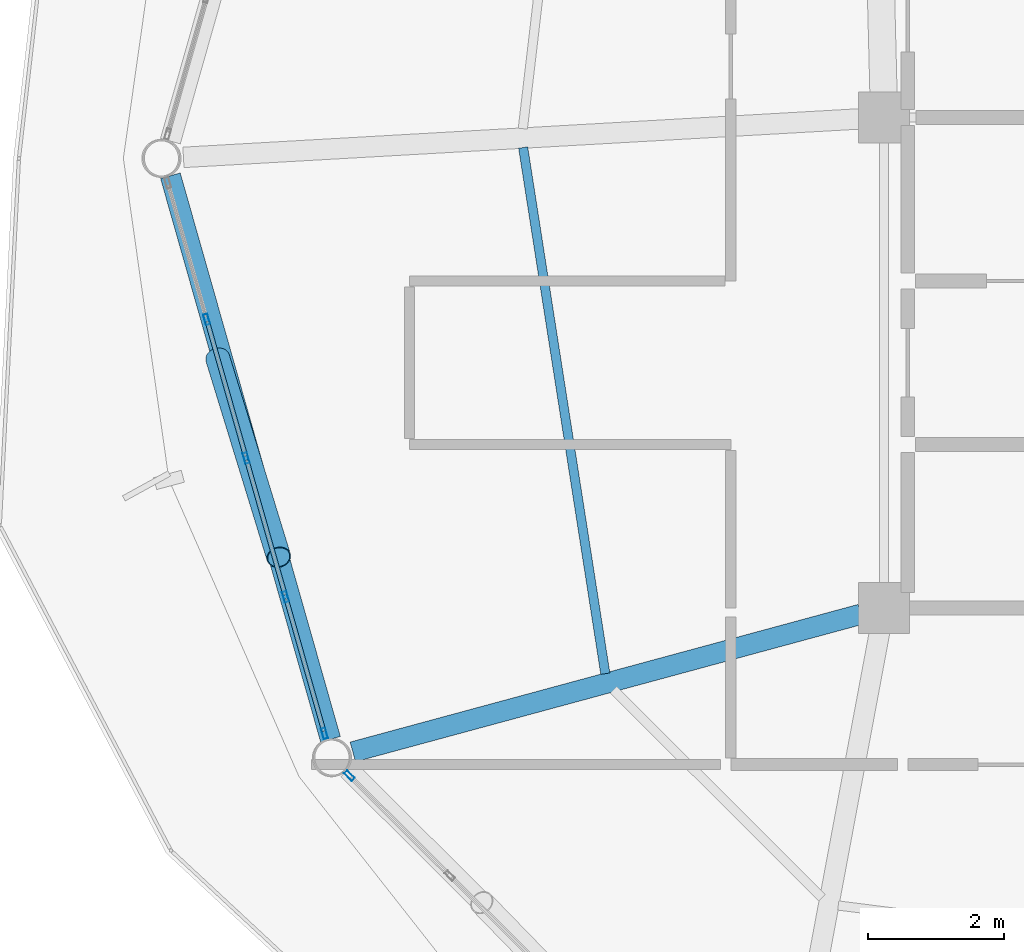
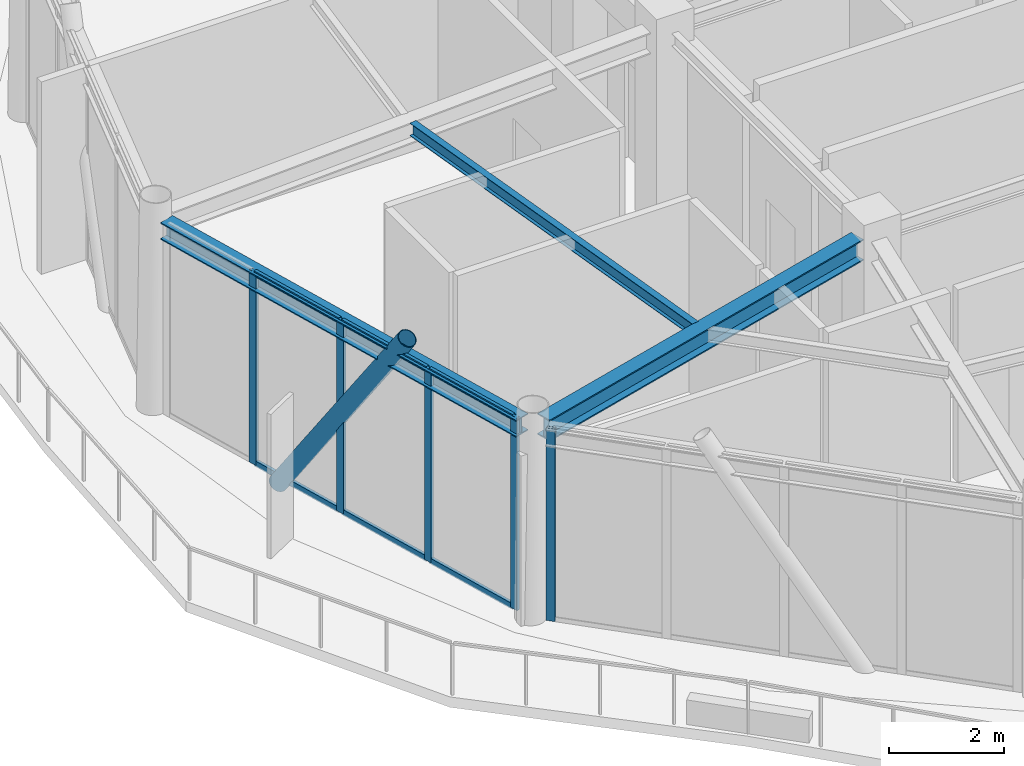
# One storey, part 4 of 24: 12 members, 3 beams, 2 elements without a shape of their own.
"""IFC4 building model written with IfcOpenShell, lengths in metres."""

from ifc_helpers import new_model, si_unit, direction, frame, origin, origin_2d, place, context, subcontext, project, spatial, hollow_rectangle, hollow_circle, i_section, extrude, material, layer, layer_set, material_profile, profile_set, type_object, element, aggregate, save


model = new_model("IFC4")

# Units and contexts
model_context = context("Model", 3, precision=1e-05, world=origin(), true_north=direction((0.0, 1.0)))
body_context = subcontext(model_context, "Body", "Model", "MODEL_VIEW")
ifc_project = project(units=[si_unit("LENGTHUNIT", "METRE"), si_unit("AREAUNIT", "SQUARE_METRE"), si_unit("VOLUMEUNIT", "CUBIC_METRE"), si_unit("PLANEANGLEUNIT", "RADIAN"), si_unit("MASSUNIT", "GRAM", prefix="KILO")], contexts=[model_context])

# Site, building, storey
site_placement = place(None, origin())
site = spatial("IfcSite", under=ifc_project, at=site_placement, CompositionType="ELEMENT")
building_placement = place(site_placement, origin())
building = spatial("IfcBuilding", under=site, at=building_placement, Name="Varnakorn Sky Granary", CompositionType="ELEMENT")
storey_placement = place(building_placement, frame((0.0, 0.0, 285.0)))
storey = spatial("IfcBuildingStorey", under=building, at=storey_placement, Name="L73", CompositionType="ELEMENT", Elevation=285.0)

# Beams
ifc_material_1 = material(Name="Steel S355JR", Category="steel")
ifc_material_profile_1 = material_profile(ifc_material_1, i_section(OverallWidth=0.300048828125, OverallDepth=0.449951171875, WebThickness=0.013916015625, FlangeThickness=0.02587890625, at=origin_2d()), Name="HE 450 B")
ifc_profile_set_1 = profile_set([ifc_material_profile_1], Name="Steel S355JR")
beam_type_1 = type_object("IfcBeamType", Name="BM-RAD-Z5", PredefinedType="BEAM", material=ifc_profile_set_1)
beam_1_placement = place(storey_placement, frame((-2.692626953125, -6.69287109375, 3.85498046875), z_axis=(-0.96519712961, -0.261523423411, 0.0), x_axis=(0.261523423411, -0.96519712961, 0.0)))
element("IfcBeam", 1, at=beam_1_placement, inside=storey, type_object=beam_type_1, Name="Radial Floor Girder RG08 L73", PredefinedType="BEAM", context=body_context, shape_type="SweptSolid", body=[
    extrude(i_section(OverallWidth=0.300048828125, OverallDepth=0.449951171875, WebThickness=0.013916015625, FlangeThickness=0.02587890625, at=origin_2d()), origin(), (0.0, 0.0, 1.0), 7.725830078125),
])
ifc_material_profile_2 = material_profile(ifc_material_1, i_section(OverallWidth=0.135009765625, OverallDepth=0.27001953125, WebThickness=0.006591796875, FlangeThickness=0.01025390625, at=origin_2d()), Name="IPE 270")
ifc_profile_set_2 = profile_set([ifc_material_profile_2], Name="Steel S355JR")
beam_type_2 = type_object("IfcBeamType", Name="BM-SEC-Z5", PredefinedType="BEAM", material=ifc_profile_set_2)
beam_2_placement = place(storey_placement, frame((-7.648681640625, 0.1591796875, 3.945068359375), z_axis=(0.154276847794, -0.988027658638, 0.0), x_axis=(0.988027658638, 0.154276847794, 0.0)))
element("IfcBeam", 2, at=beam_2_placement, inside=storey, type_object=beam_type_2, Name="Secondary Floor Chord Beam MSB07 L73", PredefinedType="BEAM", context=body_context, shape_type="SweptSolid", body=[
    extrude(i_section(OverallWidth=0.135009765625, OverallDepth=0.27001953125, WebThickness=0.006591796875, FlangeThickness=0.01025390625, at=origin_2d()), origin(), (0.0, 0.0, 1.0), 7.8173828125),
])
ifc_material_profile_3 = material_profile(ifc_material_1, i_section(OverallWidth=0.300048828125, OverallDepth=0.360107421875, WebThickness=0.012451171875, FlangeThickness=0.0224609375, at=origin_2d()), Name="HE 360 B")
ifc_profile_set_3 = profile_set([ifc_material_profile_3], Name="Steel S355JR")
beam_type_3 = type_object("IfcBeamType", Name="BM-SPD-Z5", PredefinedType="SPANDREL", material=ifc_profile_set_3)
beam_3_placement = place(storey_placement, frame((-12.82763671875, -0.25439453125, 3.89990234375), z_axis=(0.273262465219, -0.961939512185, 0.0), x_axis=(0.961939512185, 0.273262465219, 0.0)))
element("IfcBeam", 3, at=beam_3_placement, inside=storey, type_object=beam_type_3, Name="Perimeter Spandrel Ring Beam RB07 L73", PredefinedType="SPANDREL", context=body_context, shape_type="SweptSolid", body=[
    extrude(i_section(OverallWidth=0.300048828125, OverallDepth=0.360107421875, WebThickness=0.012451171875, FlangeThickness=0.0224609375, at=origin_2d()), origin(), (0.0, 0.0, 1.0), 8.60107421875),
])

# Curtain wall, members
ifc_material_2 = material(Name="Anodised Bronze Aluminium Alloy 6063-T6", Category="aluminium")
ifc_layer = layer(ifc_material_2, 0.159912109375, Name="Anodised Bronze Aluminium Alloy 6063-T6")
ifc_layer_set = layer_set([ifc_layer], Name="Anodised Bronze Aluminium Alloy 6063-T6")
curtain_wall_type = type_object("IfcCurtainWallType", Name="CW-OFF-1", PredefinedType="USERDEFINED", material=ifc_layer_set)
curtain_wall_1_placement = place(storey_placement, origin())
curtain_wall_1 = element("IfcCurtainWall", 4, at=curtain_wall_1_placement, inside=storey, type_object=curtain_wall_type, Name="Unitised Curtain Wall CW6 CW-L73-B07", ObjectType="CURTAIN WALL", PredefinedType="USERDEFINED")
ifc_material_profile_4 = material_profile(ifc_material_2, hollow_rectangle(XDim=0.06494140625, YDim=0.159912109375, WallThickness=0.00341796875, at=origin_2d()), Name="ALU MULL 65x160")
ifc_profile_set_4 = profile_set([ifc_material_profile_4], Name="Anodised Bronze Aluminium Alloy 6063-T6")
member_type_1 = type_object("IfcMemberType", Name="CW-OFF-1-MULL", PredefinedType="MULLION", material=ifc_profile_set_4)
member_1_placement = place(storey_placement, frame((-10.565673828125, -8.441650390625, 0.0), z_axis=(0.0, 0.0, 1.0), x_axis=(-0.96181256174, -0.273708962366, 0.0)))
member_1 = element("IfcMember", 5, at=member_1_placement, type_object=member_type_1, Name="CW6 mullion 1", PredefinedType="MULLION", context=body_context, shape_type="SweptSolid", body=[
    extrude(hollow_rectangle(XDim=0.06494140625, YDim=0.159912109375, WallThickness=0.00341796875, at=origin_2d()), origin(), (0.0, 0.0, 1.0), 4.080078125),
])
member_2_placement = place(storey_placement, frame((-11.136474609375, -6.436279296875, 0.0), z_axis=(0.0, 0.0, 1.0), x_axis=(-0.96181256174, -0.273708962366, 0.0)))
member_2 = element("IfcMember", 6, at=member_2_placement, type_object=member_type_1, Name="CW6 mullion 2", PredefinedType="MULLION", context=body_context, shape_type="SweptSolid", body=[
    extrude(hollow_rectangle(XDim=0.06494140625, YDim=0.159912109375, WallThickness=0.00341796875, at=origin_2d()), origin(), (0.0, 0.0, 1.0), 4.080078125),
])
member_3_placement = place(storey_placement, frame((-11.716064453125, -4.399658203125, 0.0), z_axis=(0.0, 0.0, 1.0), x_axis=(-0.96181256174, -0.273708962366, 0.0)))
member_3 = element("IfcMember", 7, at=member_3_placement, type_object=member_type_1, Name="CW6 mullion 3", PredefinedType="MULLION", context=body_context, shape_type="SweptSolid", body=[
    extrude(hollow_rectangle(XDim=0.06494140625, YDim=0.159912109375, WallThickness=0.00341796875, at=origin_2d()), origin(), (0.0, 0.0, 1.0), 4.080078125),
])
member_4_placement = place(storey_placement, frame((-12.29541015625, -2.363037109375, 0.0), z_axis=(0.0, 0.0, 1.0), x_axis=(-0.96181256174, -0.273708962366, 0.0)))
member_4 = element("IfcMember", 8, at=member_4_placement, type_object=member_type_1, Name="CW6 mullion 4", PredefinedType="MULLION", context=body_context, shape_type="SweptSolid", body=[
    extrude(hollow_rectangle(XDim=0.06494140625, YDim=0.159912109375, WallThickness=0.00341796875, at=origin_2d()), origin(), (0.0, 0.0, 1.0), 4.080078125),
])

# Curtain wall, member
curtain_wall_2_placement = place(storey_placement, origin())
curtain_wall_2 = element("IfcCurtainWall", 9, at=curtain_wall_2_placement, inside=storey, type_object=curtain_wall_type, Name="Unitised Curtain Wall CW6 CW-L73-B08", ObjectType="CURTAIN WALL", PredefinedType="USERDEFINED")
member_5_placement = place(storey_placement, frame((-10.2001953125, -9.06201171875, 0.0), z_axis=(0.0, 0.0, 1.0), x_axis=(-0.705418921213, -0.708790621831, 0.0)))
member_5 = element("IfcMember", 10, at=member_5_placement, type_object=member_type_1, Name="CW6 mullion 5", PredefinedType="MULLION", context=body_context, shape_type="SweptSolid", body=[
    extrude(hollow_rectangle(XDim=0.06494140625, YDim=0.159912109375, WallThickness=0.00341796875, at=origin_2d()), origin(), (0.0, 0.0, 1.0), 4.080078125),
])
aggregate(curtain_wall_2, [member_5])

# Member
ifc_material_profile_5 = material_profile(ifc_material_2, hollow_rectangle(XDim=0.06494140625, YDim=0.1201171875, WallThickness=0.00341796875, at=origin_2d()), Name="ALU TRAN 65x120")
ifc_profile_set_5 = profile_set([ifc_material_profile_5], Name="Anodised Bronze Aluminium Alloy 6063-T6")
member_type_2 = type_object("IfcMemberType", Name="CW-OFF-1-TRAN", PredefinedType="USERDEFINED", material=ifc_profile_set_5)
member_6_placement = place(storey_placement, frame((-10.57470703125, -8.410400390625, 0.032470703125), z_axis=(-0.27363545981, 0.961833475782, 0.0), x_axis=(-0.961833475782, -0.27363545981, 0.0)))
member_6 = element("IfcMember", 11, at=member_6_placement, type_object=member_type_2, Name="CW6 transom 1.1", ObjectType="TRANSOM", PredefinedType="USERDEFINED", context=body_context, shape_type="SweptSolid", body=[
    extrude(hollow_rectangle(XDim=0.06494140625, YDim=0.1201171875, WallThickness=0.00341796875, at=origin_2d()), origin(), (0.0, 0.0, 1.0), 2.02001953125),
])

member_7_placement = place(storey_placement, frame((-10.57470703125, -8.410400390625, 4.047607421875), z_axis=(-0.27363545981, 0.961833475782, 0.0), x_axis=(-0.961833475782, -0.27363545981, 0.0)))
member_7 = element("IfcMember", 12, at=member_7_placement, type_object=member_type_2, Name="CW6 transom 1.2", ObjectType="TRANSOM", PredefinedType="USERDEFINED", context=body_context, shape_type="SweptSolid", body=[
    extrude(hollow_rectangle(XDim=0.06494140625, YDim=0.1201171875, WallThickness=0.00341796875, at=origin_2d()), origin(), (0.0, 0.0, 1.0), 2.02001953125),
])

member_8_placement = place(storey_placement, frame((-11.145263671875, -6.405029296875, 0.032470703125), z_axis=(-0.273699813873, 0.961815165136, 0.0), x_axis=(-0.961815165136, -0.273699813873, 0.0)))
member_8 = element("IfcMember", 13, at=member_8_placement, type_object=member_type_2, Name="CW6 transom 2.1", ObjectType="TRANSOM", PredefinedType="USERDEFINED", context=body_context, shape_type="SweptSolid", body=[
    extrude(hollow_rectangle(XDim=0.06494140625, YDim=0.1201171875, WallThickness=0.00341796875, at=origin_2d()), origin(), (0.0, 0.0, 1.0), 2.052490234375),
])

member_9_placement = place(storey_placement, frame((-11.145263671875, -6.405029296875, 4.047607421875), z_axis=(-0.273699813873, 0.961815165136, 0.0), x_axis=(-0.961815165136, -0.273699813873, 0.0)))
member_9 = element("IfcMember", 14, at=member_9_placement, type_object=member_type_2, Name="CW6 transom 2.2", ObjectType="TRANSOM", PredefinedType="USERDEFINED", context=body_context, shape_type="SweptSolid", body=[
    extrude(hollow_rectangle(XDim=0.06494140625, YDim=0.1201171875, WallThickness=0.00341796875, at=origin_2d()), origin(), (0.0, 0.0, 1.0), 2.052490234375),
])

member_10_placement = place(storey_placement, frame((-11.724853515625, -4.368408203125, 0.032470703125), z_axis=(-0.273699813873, 0.961815165136, 0.0), x_axis=(-0.961815165136, -0.273699813873, 0.0)))
member_10 = element("IfcMember", 15, at=member_10_placement, type_object=member_type_2, Name="CW6 transom 3.1", ObjectType="TRANSOM", PredefinedType="USERDEFINED", context=body_context, shape_type="SweptSolid", body=[
    extrude(hollow_rectangle(XDim=0.06494140625, YDim=0.1201171875, WallThickness=0.00341796875, at=origin_2d()), origin(), (0.0, 0.0, 1.0), 2.052490234375),
])

member_11_placement = place(storey_placement, frame((-11.724853515625, -4.368408203125, 4.047607421875), z_axis=(-0.273699813873, 0.961815165136, 0.0), x_axis=(-0.961815165136, -0.273699813873, 0.0)))
member_11 = element("IfcMember", 16, at=member_11_placement, type_object=member_type_2, Name="CW6 transom 3.2", ObjectType="TRANSOM", PredefinedType="USERDEFINED", context=body_context, shape_type="SweptSolid", body=[
    extrude(hollow_rectangle(XDim=0.06494140625, YDim=0.1201171875, WallThickness=0.00341796875, at=origin_2d()), origin(), (0.0, 0.0, 1.0), 2.052490234375),
])

aggregate(curtain_wall_1, [member_1, member_2, member_3, member_4, member_6, member_7, member_8, member_9, member_10, member_11])

ifc_material_3 = material(Name="Steel S460M", Category="steel")
ifc_material_profile_6 = material_profile(ifc_material_3, hollow_circle(Radius=0.177734375, WallThickness=0.01416015625, at=origin_2d()), Name="CHS 355.6x14")
ifc_profile_set_6 = profile_set([ifc_material_profile_6], Name="Steel S460M")
member_type_3 = type_object("IfcMemberType", Name="MB-DIAG-T5", PredefinedType="BRACE", material=ifc_profile_set_6)
member_12_placement = place(storey_placement, frame((-12.13330078125, -2.93310546875, -0.1298828125), z_axis=(0.164307591765, -0.535521039828, 0.828384108484), x_axis=(0.956013596625, 0.29332235351, 0.0)))
element("IfcMember", 17, at=member_12_placement, inside=storey, type_object=member_type_3, Name="Perimeter CHS Diagrid Brace DG07 L73", PredefinedType="BRACE", context=body_context, shape_type="SweptSolid", body=[
    extrude(hollow_circle(Radius=0.177734375, WallThickness=0.01416015625, at=origin_2d()), origin(), (0.0, 0.0, 1.0), 5.4560546875),
])

save(model, "model.ifc")
